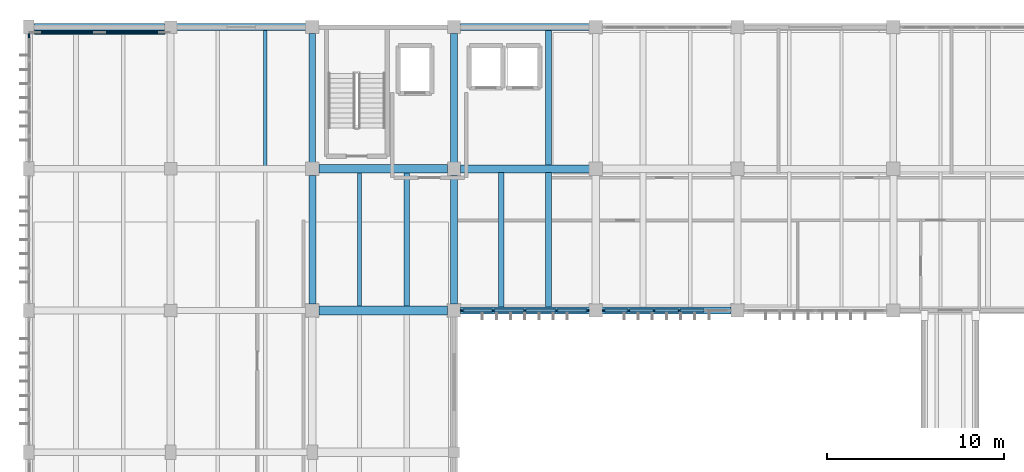
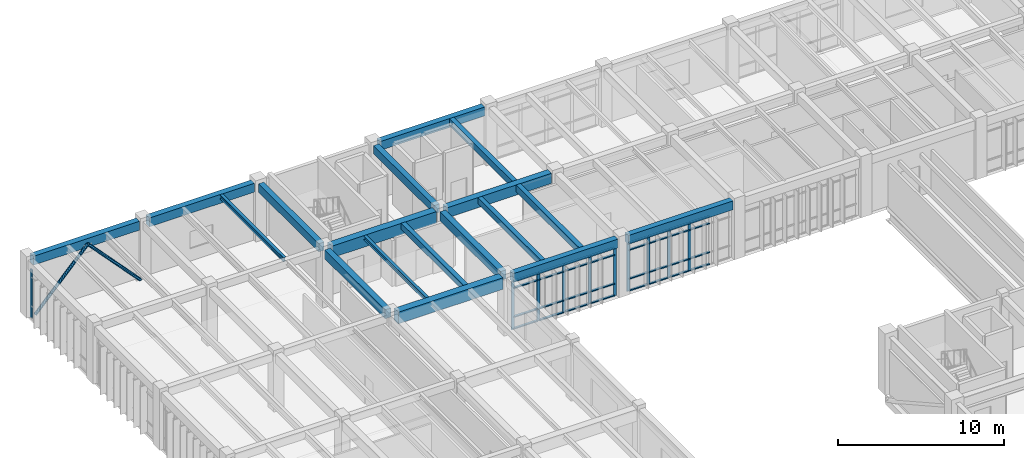
# One storey, part 21 of 79: 44 members, 18 beams, 3 elements without a shape of their own.
"""IFC4 building model written with IfcOpenShell, lengths in metres."""

import ifcopenshell
import ifcopenshell.guid

model = None  # the IFC model being written
_history = None  # IfcOwnerHistory: only IFC2X3 demands one
_inside = {}  # id of a spatial element -> (the spatial element, [elements in it])
_under = {}  # id of a project, library or spatial element -> (it, [spatial elements below it])
_declared = {}  # id of a project -> (the project, [libraries it declares])
_typed = {}  # id of a type object -> (the type object, [elements of that type])
_made_of = {}  # id of a material, layer set ... -> (it, [elements and type objects made of it])


def new_model(schema):
    """Start an empty IFC model of exactly this schema.

    Asked for "IFC4X3", IfcOpenShell would pick the latest addendum, in which some entities
    have other attributes; the version numbers below select the first issue.
    IFC2X3 requires an IfcOwnerHistory on every rooted entity: one is made here for all.
    """
    global model, _history
    if schema == "IFC4X3":
        model = ifcopenshell.file(schema_version=(4, 3, 0, 0))
    else:
        model = ifcopenshell.file(schema=schema)
    _inside.clear()
    _under.clear()
    _declared.clear()
    _typed.clear()
    _made_of.clear()
    _history = None
    if model.schema == "IFC2X3":
        org = make("IfcOrganization", Name="unknown")
        user = make(
            "IfcPersonAndOrganization",
            ThePerson=make("IfcPerson", FamilyName="unknown"),
            TheOrganization=org,
        )
        app = make(
            "IfcApplication",
            ApplicationDeveloper=org,
            Version="unknown",
            ApplicationFullName="unknown",
            ApplicationIdentifier="unknown",
        )
        _history = make(
            "IfcOwnerHistory",
            OwningUser=user,
            OwningApplication=app,
            ChangeAction="ADDED",
            CreationDate=0,
        )
    return model


def make(cls, **values):
    """One entity of the class cls with the attributes given. An attribute that is None is left unset."""
    return model.create_entity(
        cls, **{name: value for name, value in values.items() if value is not None}
    )


def rooted(cls, **values):
    """An entity with a GlobalId (a new one), such as an element, a storey or a relation."""
    return make(cls, GlobalId=ifcopenshell.guid.new(), OwnerHistory=_history, **values)


def si_unit(unit_type, name, prefix=None):
    """IfcSIUnit, for example si_unit("LENGTHUNIT", "METRE", prefix="MILLI")."""
    return make("IfcSIUnit", UnitType=unit_type, Prefix=prefix, Name=name)


def assignment(units):
    """IfcUnitAssignment: the units of a project."""
    return None if units is None else make("IfcUnitAssignment", Units=units)


def point(xyz):
    """IfcCartesianPoint."""
    return None if xyz is None else make("IfcCartesianPoint", Coordinates=xyz)


def direction(xyz):
    """IfcDirection."""
    return None if xyz is None else make("IfcDirection", DirectionRatios=xyz)


def frame(location, z_axis=None, x_axis=None):
    """IfcAxis2Placement3D, a coordinate frame: its origin and axes. An axis left out is left unset."""
    return make(
        "IfcAxis2Placement3D",
        Location=point(location),
        Axis=direction(z_axis),
        RefDirection=direction(x_axis),
    )


def frame_2d(location, x_axis=None):
    """IfcAxis2Placement2D, a coordinate frame in the plane: its origin and x axis."""
    return make(
        "IfcAxis2Placement2D", Location=point(location), RefDirection=direction(x_axis)
    )


def origin():
    """The frame at (0, 0, 0) with its axes left unset."""
    return frame((0.0, 0.0, 0.0))


def origin_2d():
    """The frame at (0, 0) in the plane with its x axis left unset."""
    return frame_2d((0.0, 0.0))


def place(relative_to, where):
    """IfcLocalPlacement: puts the frame where relative to a parent placement (None: the world)."""
    return make(
        "IfcLocalPlacement", PlacementRelTo=relative_to, RelativePlacement=where
    )


def context(
    kind, dimensions, precision=None, world=None, true_north=None, identifier=None
):
    """IfcGeometricRepresentationContext, for example the 3D "Model" context."""
    return make(
        "IfcGeometricRepresentationContext",
        ContextIdentifier=identifier,
        ContextType=kind,
        CoordinateSpaceDimension=dimensions,
        Precision=precision,
        WorldCoordinateSystem=world,
        TrueNorth=true_north,
    )


def subcontext(parent, identifier, kind, view, scale=None):
    """IfcGeometricRepresentationSubContext, for example "Body" below "Model"."""
    return make(
        "IfcGeometricRepresentationSubContext",
        ContextIdentifier=identifier,
        ContextType=kind,
        ParentContext=parent,
        TargetScale=scale,
        TargetView=view,
    )


def project(units=None, contexts=None):
    """IfcProject with its units and contexts."""
    return rooted(
        "IfcProject",
        Name="project",
        RepresentationContexts=contexts,
        UnitsInContext=assignment(units),
    )


def spatial(cls, under=None, at=None, **own):
    """A site, building, storey or space (cls), placed at a placement, below another one or the project."""
    s = rooted(cls, ObjectPlacement=at, **own)
    if under is not None:
        _under.setdefault(under.id(), (under, []))[1].append(s)
    return s


def profile(cls, at=None, kind="AREA", **sizes):
    """A parametric profile (cls). Its sizes go by their IFC names, for example OverallWidth=200.0."""
    return make(cls, ProfileType=kind, Position=at, **sizes)


def rectangle(**sizes):
    """IfcRectangleProfileDef."""
    return profile("IfcRectangleProfileDef", **sizes)


def hollow_circle(**sizes):
    """IfcCircleHollowProfileDef."""
    return profile("IfcCircleHollowProfileDef", **sizes)


def i_section(**sizes):
    """IfcIShapeProfileDef."""
    return profile("IfcIShapeProfileDef", **sizes)


def extrude(swept, where, along, depth):
    """IfcExtrudedAreaSolid: the profile swept, set in the frame where, extruded along a direction by depth."""
    return make(
        "IfcExtrudedAreaSolid",
        SweptArea=swept,
        Position=where,
        ExtrudedDirection=direction(along),
        Depth=depth,
    )


def shape(context_of_items, identifier, shape_type, items):
    """IfcShapeRepresentation: the items that make up one representation, for example the "Body"."""
    return make(
        "IfcShapeRepresentation",
        ContextOfItems=context_of_items,
        RepresentationIdentifier=identifier,
        RepresentationType=shape_type,
        Items=items,
    )


def material(Name=None, Category=None):
    """IfcMaterial."""
    return make("IfcMaterial", Name=Name, Category=Category)


def material_profile(
    of_material, cross_section, Name=None, Category=None, Priority=None
):
    """IfcMaterialProfile: a cross section and its material."""
    return make(
        "IfcMaterialProfile",
        Name=Name,
        Material=of_material,
        Profile=cross_section,
        Priority=Priority,
        Category=Category,
    )


def profile_set(profiles, Name=None, composite=None):
    """IfcMaterialProfileSet."""
    return make(
        "IfcMaterialProfileSet",
        Name=Name,
        MaterialProfiles=profiles,
        CompositeProfile=composite,
    )


def made_of(thing, what):
    """Note that an element or type object is made of a material, layer set ...; save() writes the relation."""
    if what is not None:
        _made_of.setdefault(what.id(), (what, []))[1].append(thing)
    return thing


def type_object(cls, material=None, **own):
    """A type object (cls), such as IfcWallType, which elements share."""
    return made_of(rooted(cls, **own), material)


def element(
    cls,
    number,
    at=None,
    inside=None,
    cuts=None,
    type_object=None,
    material=None,
    context=None,
    identifier="Body",
    shape_type=None,
    held_by="IfcProductDefinitionShape",
    body=None,
    shapes=None,
    **own,
):
    """One element of the class cls, such as IfcWall. Its Tag is "e" and its number.

    at: its placement. inside: the storey or other place that contains it. cuts: it is an
    opening in that element (IfcRelVoidsElement). A single representation is given by context,
    identifier, shape_type and body (its items); several are given by shapes. held_by: the class
    of the entity that holds the representations. save() writes the other relations.
    """
    e = rooted(cls, Tag="e%d" % number, ObjectPlacement=at, **own)
    if body is not None:
        shapes = [shape(context, identifier, shape_type, body)]
    if shapes is not None:
        e.Representation = make(held_by, Representations=shapes)
    if inside is not None:
        _inside.setdefault(inside.id(), (inside, []))[1].append(e)
    if cuts is not None:
        rooted(
            "IfcRelVoidsElement", RelatingBuildingElement=cuts, RelatedOpeningElement=e
        )
    if type_object is not None:
        _typed.setdefault(type_object.id(), (type_object, []))[1].append(e)
    return made_of(e, material)


def aggregate(whole, parts):
    """IfcRelAggregates: a whole, such as a stair, and the parts it consists of."""
    return rooted("IfcRelAggregates", RelatingObject=whole, RelatedObjects=parts)


def save(model, path):
    """Write the relations noted so far, then the file.

    IfcRelAggregates (storeys below a building ...), IfcRelContainedInSpatialStructure (elements
    in a storey), IfcRelDefinesByType, IfcRelAssociatesMaterial and IfcRelDeclares: one each for
    every whole, place, type object, material and project.
    """
    for whole, parts in _under.values():
        aggregate(whole, parts)
    for where, things in _inside.values():
        rooted(
            "IfcRelContainedInSpatialStructure",
            RelatedElements=things,
            RelatingStructure=where,
        )
    for kind, things in _typed.values():
        rooted("IfcRelDefinesByType", RelatedObjects=things, RelatingType=kind)
    for what, things in _made_of.values():
        rooted("IfcRelAssociatesMaterial", RelatedObjects=things, RelatingMaterial=what)
    for by, libraries in _declared.values():
        rooted("IfcRelDeclares", RelatingContext=by, RelatedDefinitions=libraries)
    model.write(path)


model = new_model("IFC4")

# Units and contexts
model_context = context("Model", 3, precision=1e-05, world=origin(), true_north=direction((0.0, 1.0)))
body_context = subcontext(model_context, "Body", "Model", "MODEL_VIEW")
ifc_project = project(units=[si_unit("LENGTHUNIT", "METRE"), si_unit("AREAUNIT", "SQUARE_METRE"), si_unit("VOLUMEUNIT", "CUBIC_METRE"), si_unit("PLANEANGLEUNIT", "RADIAN"), si_unit("MASSUNIT", "GRAM", prefix="KILO")], contexts=[model_context])

# Site, building, storey
site_placement = place(None, origin())
site = spatial("IfcSite", under=ifc_project, at=site_placement, CompositionType="ELEMENT")
building_placement = place(site_placement, origin())
building = spatial("IfcBuilding", under=site, at=building_placement, Name="Tlaxcora Railside Police Headquarters", CompositionType="ELEMENT")
storey_placement = place(building_placement, frame((0.0, 0.0, 9.0)))
storey = spatial("IfcBuildingStorey", under=building, at=storey_placement, Name="L02", CompositionType="ELEMENT", Elevation=9.0)

# Curtain wall, member
ifc_material_1 = material(Name="Thermally broken low-E insulated glazing", Category="glass")
curtain_wall_type_1 = type_object("IfcCurtainWallType", Name="Unitised Curtain Wall Assembly CW-23", PredefinedType="NOTDEFINED", material=ifc_material_1)
curtain_wall_1_placement = place(storey_placement, origin())
curtain_wall_1 = element("IfcCurtainWall", 1, at=curtain_wall_1_placement, inside=storey, type_object=curtain_wall_type_1, Name="V5 L02 curtain wall 64", PredefinedType="NOTDEFINED")
ifc_material_2 = material(Name="Anodised aluminium framing", Category="aluminium")
ifc_material_profile_1 = material_profile(ifc_material_2, rectangle(XDim=0.080078125, YDim=0.219970703125, at=origin_2d()), Name="AL80X220")
ifc_profile_set_1 = profile_set([ifc_material_profile_1], Name="Anodised aluminium framing")
member_type_1 = type_object("IfcMemberType", Name="Curtain Wall Mullion CW-31", PredefinedType="MULLION", material=ifc_profile_set_1)
member_1_placement = place(storey_placement, frame((5.199951171875, 92.31005859375, 0.0), z_axis=(0.0, 0.0, 1.0), x_axis=(1.0, 0.0, 0.0)))
member_1 = element("IfcMember", 2, at=member_1_placement, type_object=member_type_1, Name="CW mullion 1", PredefinedType="MULLION", context=body_context, shape_type="SweptSolid", body=[
    extrude(rectangle(XDim=0.080078125, YDim=0.219970703125, at=origin_2d()), origin(), (0.0, 0.0, 1.0), 3.550048828125),
])
aggregate(curtain_wall_1, [member_1])

# Curtain wall, members
curtain_wall_type_2 = type_object("IfcCurtainWallType", Name="Unitised Curtain Wall Assembly CW-38", PredefinedType="NOTDEFINED", material=ifc_material_1)
curtain_wall_2_placement = place(storey_placement, origin())
curtain_wall_2 = element("IfcCurtainWall", 3, at=curtain_wall_2_placement, inside=storey, type_object=curtain_wall_type_2, Name="V5 L02 curtain wall 53", PredefinedType="NOTDEFINED")
ifc_material_profile_2 = material_profile(ifc_material_2, rectangle(XDim=0.074951171875, YDim=0.205078125, at=origin_2d()), Name="AL75X205")
ifc_profile_set_2 = profile_set([ifc_material_profile_2], Name="Anodised aluminium framing")
member_type_2 = type_object("IfcMemberType", Name="Curtain Wall Mullion CW-32", PredefinedType="MULLION", material=ifc_profile_set_2)
member_2_placement = place(storey_placement, frame((29.66259765625, 76.800048828125, 0.0), z_axis=(0.0, 0.0, 1.0), x_axis=(0.0, 1.0, 0.0)))
member_2 = element("IfcMember", 4, at=member_2_placement, type_object=member_type_2, Name="CW mullion 1", PredefinedType="MULLION", context=body_context, shape_type="SweptSolid", body=[
    extrude(rectangle(XDim=0.074951171875, YDim=0.205078125, at=origin_2d()), origin(), (0.0, 0.0, 1.0), 3.550048828125),
])
member_3_placement = place(storey_placement, frame((31.41259765625, 76.800048828125, 0.0), z_axis=(0.0, 0.0, 1.0), x_axis=(0.0, 1.0, 0.0)))
member_3 = element("IfcMember", 5, at=member_3_placement, type_object=member_type_2, Name="CW mullion 2", PredefinedType="MULLION", context=body_context, shape_type="SweptSolid", body=[
    extrude(rectangle(XDim=0.074951171875, YDim=0.205078125, at=origin_2d()), origin(), (0.0, 0.0, 1.0), 3.550048828125),
])
member_4_placement = place(storey_placement, frame((33.199951171875, 76.800048828125, 0.0), z_axis=(0.0, 0.0, 1.0), x_axis=(0.0, 1.0, 0.0)))
member_4 = element("IfcMember", 6, at=member_4_placement, type_object=member_type_2, Name="CW mullion 3", PredefinedType="MULLION", context=body_context, shape_type="SweptSolid", body=[
    extrude(rectangle(XDim=0.074951171875, YDim=0.205078125, at=origin_2d()), origin(), (0.0, 0.0, 1.0), 3.550048828125),
])
member_5_placement = place(storey_placement, frame((34.987548828125, 76.800048828125, 0.0), z_axis=(0.0, 0.0, 1.0), x_axis=(0.0, 1.0, 0.0)))
member_5 = element("IfcMember", 7, at=member_5_placement, type_object=member_type_2, Name="CW mullion 4", PredefinedType="MULLION", context=body_context, shape_type="SweptSolid", body=[
    extrude(rectangle(XDim=0.074951171875, YDim=0.205078125, at=origin_2d()), origin(), (0.0, 0.0, 1.0), 3.550048828125),
])
member_6_placement = place(storey_placement, frame((36.737548828125, 76.800048828125, 0.0), z_axis=(0.0, 0.0, 1.0), x_axis=(0.0, 1.0, 0.0)))
member_6 = element("IfcMember", 8, at=member_6_placement, type_object=member_type_2, Name="CW mullion 5", PredefinedType="MULLION", context=body_context, shape_type="SweptSolid", body=[
    extrude(rectangle(XDim=0.074951171875, YDim=0.205078125, at=origin_2d()), origin(), (0.0, 0.0, 1.0), 3.550048828125),
])

curtain_wall_type_3 = type_object("IfcCurtainWallType", Name="Unitised Curtain Wall Assembly CW-15", PredefinedType="NOTDEFINED", material=ifc_material_1)
curtain_wall_3_placement = place(storey_placement, origin())
curtain_wall_3 = element("IfcCurtainWall", 9, at=curtain_wall_3_placement, inside=storey, type_object=curtain_wall_type_3, Name="V5 L02 curtain wall 54", PredefinedType="NOTDEFINED")
ifc_material_profile_3 = material_profile(ifc_material_2, rectangle(XDim=0.074951171875, YDim=0.199951171875, at=origin_2d()), Name="AL75X200")
ifc_profile_set_3 = profile_set([ifc_material_profile_3], Name="Anodised aluminium framing")
member_type_3 = type_object("IfcMemberType", Name="Curtain Wall Mullion CW-58", PredefinedType="MULLION", material=ifc_profile_set_3)
member_7_placement = place(storey_placement, frame((37.66259765625, 76.800048828125, 0.0), z_axis=(0.0, 0.0, 1.0), x_axis=(0.0, 1.0, 0.0)))
member_7 = element("IfcMember", 10, at=member_7_placement, type_object=member_type_3, Name="CW mullion 1", PredefinedType="MULLION", context=body_context, shape_type="SweptSolid", body=[
    extrude(rectangle(XDim=0.074951171875, YDim=0.199951171875, at=origin_2d()), origin(), (0.0, 0.0, 1.0), 3.550048828125),
])
member_8_placement = place(storey_placement, frame((39.054931640625, 76.800048828125, 0.0), z_axis=(0.0, 0.0, 1.0), x_axis=(0.0, 1.0, 0.0)))
member_8 = element("IfcMember", 11, at=member_8_placement, type_object=member_type_3, Name="CW mullion 2", PredefinedType="MULLION", context=body_context, shape_type="SweptSolid", body=[
    extrude(rectangle(XDim=0.074951171875, YDim=0.199951171875, at=origin_2d()), origin(), (0.0, 0.0, 1.0), 3.550048828125),
])
member_9_placement = place(storey_placement, frame((40.485107421875, 76.800048828125, 0.0), z_axis=(0.0, 0.0, 1.0), x_axis=(0.0, 1.0, 0.0)))
member_9 = element("IfcMember", 12, at=member_9_placement, type_object=member_type_3, Name="CW mullion 3", PredefinedType="MULLION", context=body_context, shape_type="SweptSolid", body=[
    extrude(rectangle(XDim=0.074951171875, YDim=0.199951171875, at=origin_2d()), origin(), (0.0, 0.0, 1.0), 3.550048828125),
])
member_10_placement = place(storey_placement, frame((41.9150390625, 76.800048828125, 0.0), z_axis=(0.0, 0.0, 1.0), x_axis=(0.0, 1.0, 0.0)))
member_10 = element("IfcMember", 13, at=member_10_placement, type_object=member_type_3, Name="CW mullion 4", PredefinedType="MULLION", context=body_context, shape_type="SweptSolid", body=[
    extrude(rectangle(XDim=0.074951171875, YDim=0.199951171875, at=origin_2d()), origin(), (0.0, 0.0, 1.0), 3.550048828125),
])
ifc_material_profile_4 = material_profile(ifc_material_2, rectangle(XDim=0.14990234375, YDim=0.074951171875, at=origin_2d()), Name="AL75X150")
ifc_profile_set_4 = profile_set([ifc_material_profile_4], Name="Anodised aluminium framing")
member_type_4 = type_object("IfcMemberType", Name="Curtain Wall Transom CW-28", PredefinedType="USERDEFINED", material=ifc_profile_set_4)
member_11_placement = place(storey_placement, frame((37.699951171875, 76.800048828125, 0.03759765625), z_axis=(1.0, 0.0, 0.0), x_axis=(0.0, 1.0, 0.0)))
member_11 = element("IfcMember", 14, at=member_11_placement, type_object=member_type_4, Name="CW transom 1.1", ObjectType="TRANSOM", PredefinedType="USERDEFINED", context=body_context, shape_type="SweptSolid", body=[
    extrude(rectangle(XDim=0.14990234375, YDim=0.074951171875, at=origin_2d()), origin(), (0.0, 0.0, 1.0), 1.317626953125),
])
member_12_placement = place(storey_placement, frame((37.699951171875, 76.800048828125, 0.89990234375), z_axis=(1.0, 0.0, 0.0), x_axis=(0.0, 1.0, 0.0)))
member_12 = element("IfcMember", 15, at=member_12_placement, type_object=member_type_4, Name="CW transom 1.2", ObjectType="TRANSOM", PredefinedType="USERDEFINED", context=body_context, shape_type="SweptSolid", body=[
    extrude(rectangle(XDim=0.14990234375, YDim=0.074951171875, at=origin_2d()), origin(), (0.0, 0.0, 1.0), 1.317626953125),
])
member_13_placement = place(storey_placement, frame((37.699951171875, 76.800048828125, 3.02001953125), z_axis=(1.0, 0.0, 0.0), x_axis=(0.0, 1.0, 0.0)))
member_13 = element("IfcMember", 16, at=member_13_placement, type_object=member_type_4, Name="CW transom 1.3", ObjectType="TRANSOM", PredefinedType="USERDEFINED", context=body_context, shape_type="SweptSolid", body=[
    extrude(rectangle(XDim=0.14990234375, YDim=0.074951171875, at=origin_2d()), origin(), (0.0, 0.0, 1.0), 1.317626953125),
])
member_14_placement = place(storey_placement, frame((37.699951171875, 76.800048828125, 3.512451171875), z_axis=(1.0, 0.0, 0.0), x_axis=(0.0, 1.0, 0.0)))
member_14 = element("IfcMember", 17, at=member_14_placement, type_object=member_type_4, Name="CW transom 1.4", ObjectType="TRANSOM", PredefinedType="USERDEFINED", context=body_context, shape_type="SweptSolid", body=[
    extrude(rectangle(XDim=0.14990234375, YDim=0.074951171875, at=origin_2d()), origin(), (0.0, 0.0, 1.0), 1.317626953125),
])
member_15_placement = place(storey_placement, frame((39.092529296875, 76.800048828125, 0.03759765625), z_axis=(1.0, 0.0, 0.0), x_axis=(0.0, 1.0, 0.0)))
member_15 = element("IfcMember", 18, at=member_15_placement, type_object=member_type_4, Name="CW transom 2.1", ObjectType="TRANSOM", PredefinedType="USERDEFINED", context=body_context, shape_type="SweptSolid", body=[
    extrude(rectangle(XDim=0.14990234375, YDim=0.074951171875, at=origin_2d()), origin(), (0.0, 0.0, 1.0), 1.35498046875),
])
member_16_placement = place(storey_placement, frame((39.092529296875, 76.800048828125, 0.89990234375), z_axis=(1.0, 0.0, 0.0), x_axis=(0.0, 1.0, 0.0)))
member_16 = element("IfcMember", 19, at=member_16_placement, type_object=member_type_4, Name="CW transom 2.2", ObjectType="TRANSOM", PredefinedType="USERDEFINED", context=body_context, shape_type="SweptSolid", body=[
    extrude(rectangle(XDim=0.14990234375, YDim=0.074951171875, at=origin_2d()), origin(), (0.0, 0.0, 1.0), 1.35498046875),
])
member_17_placement = place(storey_placement, frame((39.092529296875, 76.800048828125, 3.02001953125), z_axis=(1.0, 0.0, 0.0), x_axis=(0.0, 1.0, 0.0)))
member_17 = element("IfcMember", 20, at=member_17_placement, type_object=member_type_4, Name="CW transom 2.3", ObjectType="TRANSOM", PredefinedType="USERDEFINED", context=body_context, shape_type="SweptSolid", body=[
    extrude(rectangle(XDim=0.14990234375, YDim=0.074951171875, at=origin_2d()), origin(), (0.0, 0.0, 1.0), 1.35498046875),
])
member_18_placement = place(storey_placement, frame((39.092529296875, 76.800048828125, 3.512451171875), z_axis=(1.0, 0.0, 0.0), x_axis=(0.0, 1.0, 0.0)))
member_18 = element("IfcMember", 21, at=member_18_placement, type_object=member_type_4, Name="CW transom 2.4", ObjectType="TRANSOM", PredefinedType="USERDEFINED", context=body_context, shape_type="SweptSolid", body=[
    extrude(rectangle(XDim=0.14990234375, YDim=0.074951171875, at=origin_2d()), origin(), (0.0, 0.0, 1.0), 1.35498046875),
])
member_19_placement = place(storey_placement, frame((40.5224609375, 76.800048828125, 0.03759765625), z_axis=(1.0, 0.0, 0.0), x_axis=(0.0, 1.0, 0.0)))
member_19 = element("IfcMember", 22, at=member_19_placement, type_object=member_type_4, Name="CW transom 3.1", ObjectType="TRANSOM", PredefinedType="USERDEFINED", context=body_context, shape_type="SweptSolid", body=[
    extrude(rectangle(XDim=0.14990234375, YDim=0.074951171875, at=origin_2d()), origin(), (0.0, 0.0, 1.0), 1.35498046875),
])
member_20_placement = place(storey_placement, frame((40.5224609375, 76.800048828125, 0.89990234375), z_axis=(1.0, 0.0, 0.0), x_axis=(0.0, 1.0, 0.0)))
member_20 = element("IfcMember", 23, at=member_20_placement, type_object=member_type_4, Name="CW transom 3.2", ObjectType="TRANSOM", PredefinedType="USERDEFINED", context=body_context, shape_type="SweptSolid", body=[
    extrude(rectangle(XDim=0.14990234375, YDim=0.074951171875, at=origin_2d()), origin(), (0.0, 0.0, 1.0), 1.35498046875),
])
member_21_placement = place(storey_placement, frame((40.5224609375, 76.800048828125, 3.02001953125), z_axis=(1.0, 0.0, 0.0), x_axis=(0.0, 1.0, 0.0)))
member_21 = element("IfcMember", 24, at=member_21_placement, type_object=member_type_4, Name="CW transom 3.3", ObjectType="TRANSOM", PredefinedType="USERDEFINED", context=body_context, shape_type="SweptSolid", body=[
    extrude(rectangle(XDim=0.14990234375, YDim=0.074951171875, at=origin_2d()), origin(), (0.0, 0.0, 1.0), 1.35498046875),
])
member_22_placement = place(storey_placement, frame((40.5224609375, 76.800048828125, 3.512451171875), z_axis=(1.0, 0.0, 0.0), x_axis=(0.0, 1.0, 0.0)))
member_22 = element("IfcMember", 25, at=member_22_placement, type_object=member_type_4, Name="CW transom 3.4", ObjectType="TRANSOM", PredefinedType="USERDEFINED", context=body_context, shape_type="SweptSolid", body=[
    extrude(rectangle(XDim=0.14990234375, YDim=0.074951171875, at=origin_2d()), origin(), (0.0, 0.0, 1.0), 1.35498046875),
])
member_23_placement = place(storey_placement, frame((41.952392578125, 76.800048828125, 0.03759765625), z_axis=(1.0, 0.0, 0.0), x_axis=(0.0, 1.0, 0.0)))
member_23 = element("IfcMember", 26, at=member_23_placement, type_object=member_type_4, Name="CW transom 4.1", ObjectType="TRANSOM", PredefinedType="USERDEFINED", context=body_context, shape_type="SweptSolid", body=[
    extrude(rectangle(XDim=0.14990234375, YDim=0.074951171875, at=origin_2d()), origin(), (0.0, 0.0, 1.0), 1.355224609375),
])
member_24_placement = place(storey_placement, frame((41.952392578125, 76.800048828125, 0.89990234375), z_axis=(1.0, 0.0, 0.0), x_axis=(0.0, 1.0, 0.0)))
member_24 = element("IfcMember", 27, at=member_24_placement, type_object=member_type_4, Name="CW transom 4.2", ObjectType="TRANSOM", PredefinedType="USERDEFINED", context=body_context, shape_type="SweptSolid", body=[
    extrude(rectangle(XDim=0.14990234375, YDim=0.074951171875, at=origin_2d()), origin(), (0.0, 0.0, 1.0), 1.355224609375),
])
member_25_placement = place(storey_placement, frame((41.952392578125, 76.800048828125, 3.02001953125), z_axis=(1.0, 0.0, 0.0), x_axis=(0.0, 1.0, 0.0)))
member_25 = element("IfcMember", 28, at=member_25_placement, type_object=member_type_4, Name="CW transom 4.3", ObjectType="TRANSOM", PredefinedType="USERDEFINED", context=body_context, shape_type="SweptSolid", body=[
    extrude(rectangle(XDim=0.14990234375, YDim=0.074951171875, at=origin_2d()), origin(), (0.0, 0.0, 1.0), 1.355224609375),
])
member_26_placement = place(storey_placement, frame((41.952392578125, 76.800048828125, 3.512451171875), z_axis=(1.0, 0.0, 0.0), x_axis=(0.0, 1.0, 0.0)))
member_26 = element("IfcMember", 29, at=member_26_placement, type_object=member_type_4, Name="CW transom 4.4", ObjectType="TRANSOM", PredefinedType="USERDEFINED", context=body_context, shape_type="SweptSolid", body=[
    extrude(rectangle(XDim=0.14990234375, YDim=0.074951171875, at=origin_2d()), origin(), (0.0, 0.0, 1.0), 1.355224609375),
])
aggregate(curtain_wall_3, [member_7, member_8, member_9, member_10, member_11, member_12, member_13, member_14, member_15, member_16, member_17, member_18, member_19, member_20, member_21, member_22, member_23, member_24, member_25, member_26])

# Member
ifc_material_profile_5 = material_profile(ifc_material_2, rectangle(XDim=0.155029296875, YDim=0.074951171875, at=origin_2d()), Name="AL75X155")
ifc_profile_set_5 = profile_set([ifc_material_profile_5], Name="Anodised aluminium framing")
member_type_5 = type_object("IfcMemberType", Name="Curtain Wall Transom CW-30", PredefinedType="USERDEFINED", material=ifc_profile_set_5)
member_27_placement = place(storey_placement, frame((29.699951171875, 76.800048828125, 0.03759765625), z_axis=(1.0, 0.0, 0.0), x_axis=(0.0, 1.0, 0.0)))
member_27 = element("IfcMember", 30, at=member_27_placement, type_object=member_type_5, Name="CW transom 1.1", ObjectType="TRANSOM", PredefinedType="USERDEFINED", context=body_context, shape_type="SweptSolid", body=[
    extrude(rectangle(XDim=0.155029296875, YDim=0.074951171875, at=origin_2d()), origin(), (0.0, 0.0, 1.0), 1.675048828125),
])

member_28_placement = place(storey_placement, frame((29.699951171875, 76.800048828125, 0.89990234375), z_axis=(1.0, 0.0, 0.0), x_axis=(0.0, 1.0, 0.0)))
member_28 = element("IfcMember", 31, at=member_28_placement, type_object=member_type_5, Name="CW transom 1.2", ObjectType="TRANSOM", PredefinedType="USERDEFINED", context=body_context, shape_type="SweptSolid", body=[
    extrude(rectangle(XDim=0.155029296875, YDim=0.074951171875, at=origin_2d()), origin(), (0.0, 0.0, 1.0), 1.675048828125),
])

member_29_placement = place(storey_placement, frame((29.699951171875, 76.800048828125, 3.02001953125), z_axis=(1.0, 0.0, 0.0), x_axis=(0.0, 1.0, 0.0)))
member_29 = element("IfcMember", 32, at=member_29_placement, type_object=member_type_5, Name="CW transom 1.3", ObjectType="TRANSOM", PredefinedType="USERDEFINED", context=body_context, shape_type="SweptSolid", body=[
    extrude(rectangle(XDim=0.155029296875, YDim=0.074951171875, at=origin_2d()), origin(), (0.0, 0.0, 1.0), 1.675048828125),
])

member_30_placement = place(storey_placement, frame((29.699951171875, 76.800048828125, 3.512451171875), z_axis=(1.0, 0.0, 0.0), x_axis=(0.0, 1.0, 0.0)))
member_30 = element("IfcMember", 33, at=member_30_placement, type_object=member_type_5, Name="CW transom 1.4", ObjectType="TRANSOM", PredefinedType="USERDEFINED", context=body_context, shape_type="SweptSolid", body=[
    extrude(rectangle(XDim=0.155029296875, YDim=0.074951171875, at=origin_2d()), origin(), (0.0, 0.0, 1.0), 1.675048828125),
])

member_31_placement = place(storey_placement, frame((31.449951171875, 76.800048828125, 0.03759765625), z_axis=(1.0, 0.0, 0.0), x_axis=(0.0, 1.0, 0.0)))
member_31 = element("IfcMember", 34, at=member_31_placement, type_object=member_type_5, Name="CW transom 2.1", ObjectType="TRANSOM", PredefinedType="USERDEFINED", context=body_context, shape_type="SweptSolid", body=[
    extrude(rectangle(XDim=0.155029296875, YDim=0.074951171875, at=origin_2d()), origin(), (0.0, 0.0, 1.0), 1.712646484375),
])

member_32_placement = place(storey_placement, frame((31.449951171875, 76.800048828125, 0.89990234375), z_axis=(1.0, 0.0, 0.0), x_axis=(0.0, 1.0, 0.0)))
member_32 = element("IfcMember", 35, at=member_32_placement, type_object=member_type_5, Name="CW transom 2.2", ObjectType="TRANSOM", PredefinedType="USERDEFINED", context=body_context, shape_type="SweptSolid", body=[
    extrude(rectangle(XDim=0.155029296875, YDim=0.074951171875, at=origin_2d()), origin(), (0.0, 0.0, 1.0), 1.712646484375),
])

member_33_placement = place(storey_placement, frame((31.449951171875, 76.800048828125, 3.02001953125), z_axis=(1.0, 0.0, 0.0), x_axis=(0.0, 1.0, 0.0)))
member_33 = element("IfcMember", 36, at=member_33_placement, type_object=member_type_5, Name="CW transom 2.3", ObjectType="TRANSOM", PredefinedType="USERDEFINED", context=body_context, shape_type="SweptSolid", body=[
    extrude(rectangle(XDim=0.155029296875, YDim=0.074951171875, at=origin_2d()), origin(), (0.0, 0.0, 1.0), 1.712646484375),
])

member_34_placement = place(storey_placement, frame((31.449951171875, 76.800048828125, 3.512451171875), z_axis=(1.0, 0.0, 0.0), x_axis=(0.0, 1.0, 0.0)))
member_34 = element("IfcMember", 37, at=member_34_placement, type_object=member_type_5, Name="CW transom 2.4", ObjectType="TRANSOM", PredefinedType="USERDEFINED", context=body_context, shape_type="SweptSolid", body=[
    extrude(rectangle(XDim=0.155029296875, YDim=0.074951171875, at=origin_2d()), origin(), (0.0, 0.0, 1.0), 1.712646484375),
])

member_35_placement = place(storey_placement, frame((33.237548828125, 76.800048828125, 0.03759765625), z_axis=(1.0, 0.0, 0.0), x_axis=(0.0, 1.0, 0.0)))
member_35 = element("IfcMember", 38, at=member_35_placement, type_object=member_type_5, Name="CW transom 3.1", ObjectType="TRANSOM", PredefinedType="USERDEFINED", context=body_context, shape_type="SweptSolid", body=[
    extrude(rectangle(XDim=0.155029296875, YDim=0.074951171875, at=origin_2d()), origin(), (0.0, 0.0, 1.0), 1.71240234375),
])

member_36_placement = place(storey_placement, frame((33.237548828125, 76.800048828125, 0.89990234375), z_axis=(1.0, 0.0, 0.0), x_axis=(0.0, 1.0, 0.0)))
member_36 = element("IfcMember", 39, at=member_36_placement, type_object=member_type_5, Name="CW transom 3.2", ObjectType="TRANSOM", PredefinedType="USERDEFINED", context=body_context, shape_type="SweptSolid", body=[
    extrude(rectangle(XDim=0.155029296875, YDim=0.074951171875, at=origin_2d()), origin(), (0.0, 0.0, 1.0), 1.71240234375),
])

member_37_placement = place(storey_placement, frame((33.237548828125, 76.800048828125, 3.02001953125), z_axis=(1.0, 0.0, 0.0), x_axis=(0.0, 1.0, 0.0)))
member_37 = element("IfcMember", 40, at=member_37_placement, type_object=member_type_5, Name="CW transom 3.3", ObjectType="TRANSOM", PredefinedType="USERDEFINED", context=body_context, shape_type="SweptSolid", body=[
    extrude(rectangle(XDim=0.155029296875, YDim=0.074951171875, at=origin_2d()), origin(), (0.0, 0.0, 1.0), 1.71240234375),
])

member_38_placement = place(storey_placement, frame((33.237548828125, 76.800048828125, 3.512451171875), z_axis=(1.0, 0.0, 0.0), x_axis=(0.0, 1.0, 0.0)))
member_38 = element("IfcMember", 41, at=member_38_placement, type_object=member_type_5, Name="CW transom 3.4", ObjectType="TRANSOM", PredefinedType="USERDEFINED", context=body_context, shape_type="SweptSolid", body=[
    extrude(rectangle(XDim=0.155029296875, YDim=0.074951171875, at=origin_2d()), origin(), (0.0, 0.0, 1.0), 1.71240234375),
])

member_39_placement = place(storey_placement, frame((35.02490234375, 76.800048828125, 0.03759765625), z_axis=(1.0, 0.0, 0.0), x_axis=(0.0, 1.0, 0.0)))
member_39 = element("IfcMember", 42, at=member_39_placement, type_object=member_type_5, Name="CW transom 4.1", ObjectType="TRANSOM", PredefinedType="USERDEFINED", context=body_context, shape_type="SweptSolid", body=[
    extrude(rectangle(XDim=0.155029296875, YDim=0.074951171875, at=origin_2d()), origin(), (0.0, 0.0, 1.0), 1.675048828125),
])

member_40_placement = place(storey_placement, frame((35.02490234375, 76.800048828125, 0.89990234375), z_axis=(1.0, 0.0, 0.0), x_axis=(0.0, 1.0, 0.0)))
member_40 = element("IfcMember", 43, at=member_40_placement, type_object=member_type_5, Name="CW transom 4.2", ObjectType="TRANSOM", PredefinedType="USERDEFINED", context=body_context, shape_type="SweptSolid", body=[
    extrude(rectangle(XDim=0.155029296875, YDim=0.074951171875, at=origin_2d()), origin(), (0.0, 0.0, 1.0), 1.675048828125),
])

member_41_placement = place(storey_placement, frame((35.02490234375, 76.800048828125, 3.02001953125), z_axis=(1.0, 0.0, 0.0), x_axis=(0.0, 1.0, 0.0)))
member_41 = element("IfcMember", 44, at=member_41_placement, type_object=member_type_5, Name="CW transom 4.3", ObjectType="TRANSOM", PredefinedType="USERDEFINED", context=body_context, shape_type="SweptSolid", body=[
    extrude(rectangle(XDim=0.155029296875, YDim=0.074951171875, at=origin_2d()), origin(), (0.0, 0.0, 1.0), 1.675048828125),
])

member_42_placement = place(storey_placement, frame((35.02490234375, 76.800048828125, 3.512451171875), z_axis=(1.0, 0.0, 0.0), x_axis=(0.0, 1.0, 0.0)))
member_42 = element("IfcMember", 45, at=member_42_placement, type_object=member_type_5, Name="CW transom 4.4", ObjectType="TRANSOM", PredefinedType="USERDEFINED", context=body_context, shape_type="SweptSolid", body=[
    extrude(rectangle(XDim=0.155029296875, YDim=0.074951171875, at=origin_2d()), origin(), (0.0, 0.0, 1.0), 1.675048828125),
])

aggregate(curtain_wall_2, [member_2, member_3, member_4, member_5, member_6, member_27, member_28, member_29, member_30, member_31, member_32, member_33, member_34, member_35, member_36, member_37, member_38, member_39, member_40, member_41, member_42])

# Members
ifc_material_3 = material(Name="Steel ASTM A992 Grade 50", Category="steel")
ifc_material_profile_6 = material_profile(ifc_material_3, hollow_circle(Radius=0.109619140625, WallThickness=0.010009765625, at=origin_2d()), Name="CHS219X10")
ifc_profile_set_6 = profile_set([ifc_material_profile_6], Name="Steel ASTM A992 Grade 50")
member_type_6 = type_object("IfcMemberType", Name="Diagonal Brace Member MB-18", PredefinedType="BRACE", material=ifc_profile_set_6)
for number, where, z_axis, x_axis, name in (
    (46, (5.550048828125, 92.5, 0.0), (0.683317517493, 0.0, 0.730121339427), (0.0, 1.0, 0.0), "Chevron brace 2A"),
    (47, (12.85009765625, 92.5, 0.0), (-0.683341881634, 0.0, 0.730098536367), (0.0, -1.0, 0.0), "Chevron brace 2B"),
):
    element("IfcMember", number, at=place(storey_placement, frame(where, z_axis=z_axis, x_axis=x_axis)), inside=storey, type_object=member_type_6, Name=name, PredefinedType="BRACE", context=body_context, shape_type="SweptSolid", body=[
        extrude(hollow_circle(Radius=0.109619140625, WallThickness=0.010009765625, at=origin_2d()), origin(), (0.0, 0.0, 1.0), 5.341552734375),
    ])

# Beams
ifc_material_4 = material(Name="Concrete C40/50", Category="concrete")
ifc_material_profile_7 = material_profile(ifc_material_4, rectangle(XDim=0.39990234375, YDim=0.64990234375, at=origin_2d()), Name="RC400X650")
ifc_profile_set_7 = profile_set([ifc_material_profile_7], Name="Concrete C40/50")
beam_type_1 = type_object("IfcBeamType", Name="Perimeter Spandrel Beam BM-46", PredefinedType="SPANDREL", material=ifc_profile_set_7)
for number, where, z_axis, x_axis, name in (
    (48, (29.56494140625, 76.800048828125, 3.89501953125), (1.0, 0.0, 0.0), (0.0, 1.0, 0.0), "V5 L02 X-girder Y=76.8"),
    (49, (37.56494140625, 76.800048828125, 3.89501953125), (1.0, 0.0, 0.0), (0.0, 1.0, 0.0), "V5 L02 X-girder Y=76.8"),
):
    element("IfcBeam", number, at=place(storey_placement, frame(where, z_axis=z_axis, x_axis=x_axis)), inside=storey, type_object=beam_type_1, Name=name, PredefinedType="SPANDREL", context=body_context, shape_type="SweptSolid", body=[
        extrude(rectangle(XDim=0.39990234375, YDim=0.64990234375, at=origin_2d()), origin(), (0.0, 0.0, 1.0), 7.27001953125),
    ])
beam_1_placement = place(storey_placement, frame((5.489990234375, 92.800048828125, 3.89501953125), z_axis=(1.0, 0.0, 0.0), x_axis=(0.0, 1.0, 0.0)))
element("IfcBeam", 50, at=beam_1_placement, inside=storey, type_object=beam_type_1, Name="V5 L02 X-girder Y=92.8", PredefinedType="SPANDREL", context=body_context, shape_type="SweptSolid", body=[
    extrude(rectangle(XDim=0.39990234375, YDim=0.64990234375, at=origin_2d()), origin(), (0.0, 0.0, 1.0), 7.3701171875),
])
beam_2_placement = place(storey_placement, frame((13.5400390625, 92.800048828125, 3.89501953125), z_axis=(1.0, 0.0, 0.0), x_axis=(0.0, 1.0, 0.0)))
element("IfcBeam", 51, at=beam_2_placement, inside=storey, type_object=beam_type_1, Name="V5 L02 X-girder Y=92.8", PredefinedType="SPANDREL", context=body_context, shape_type="SweptSolid", body=[
    extrude(rectangle(XDim=0.39990234375, YDim=0.64990234375, at=origin_2d()), origin(), (0.0, 0.0, 1.0), 7.294921875),
])
beam_3_placement = place(storey_placement, frame((29.56494140625, 92.800048828125, 3.89501953125), z_axis=(1.0, 0.0, 0.0), x_axis=(0.0, 1.0, 0.0)))
element("IfcBeam", 52, at=beam_3_placement, inside=storey, type_object=beam_type_1, Name="V5 L02 X-girder Y=92.8", PredefinedType="SPANDREL", context=body_context, shape_type="SweptSolid", body=[
    extrude(rectangle(XDim=0.39990234375, YDim=0.64990234375, at=origin_2d()), origin(), (0.0, 0.0, 1.0), 7.27001953125),
])
ifc_material_profile_8 = material_profile(ifc_material_4, rectangle(XDim=0.3798828125, YDim=0.60009765625, at=origin_2d()), Name="RC380X600")
ifc_profile_set_8 = profile_set([ifc_material_profile_8], Name="Concrete C40/50")
beam_type_2 = type_object("IfcBeamType", Name="Primary Frame Girder BM-22", PredefinedType="BEAM", material=ifc_profile_set_8)
for number, where, z_axis, x_axis, name in (
    (53, (21.199951171875, 85.1650390625, 3.919921875), (0.0, 1.0, 0.0), (-1.0, 0.0, 0.0), "V5 L02 Y-girder X=21.2"),
    (54, (29.199951171875, 85.1650390625, 3.919921875), (0.0, 1.0, 0.0), (-1.0, 0.0, 0.0), "V5 L02 Y-girder X=29.2"),
):
    element("IfcBeam", number, at=place(storey_placement, frame(where, z_axis=z_axis, x_axis=x_axis)), inside=storey, type_object=beam_type_2, Name=name, PredefinedType="BEAM", context=body_context, shape_type="SweptSolid", body=[
        extrude(rectangle(XDim=0.3798828125, YDim=0.60009765625, at=origin_2d()), origin(), (0.0, 0.0, 1.0), 7.27001953125),
    ])
ifc_material_profile_9 = material_profile(ifc_material_4, rectangle(XDim=0.39990234375, YDim=0.64990234375, at=origin_2d()), Name="RC400X650")
ifc_profile_set_9 = profile_set([ifc_material_profile_9], Name="Concrete C40/50")
beam_type_3 = type_object("IfcBeamType", Name="Primary Frame Girder BM-41", PredefinedType="BEAM", material=ifc_profile_set_9)
for number, where, z_axis, x_axis, name in (
    (55, (21.199951171875, 77.1650390625, 3.89501953125), (0.0, 1.0, 0.0), (-1.0, 0.0, 0.0), "V5 L02 Y-girder X=21.2"),
    (56, (29.199951171875, 77.1650390625, 3.89501953125), (0.0, 1.0, 0.0), (-1.0, 0.0, 0.0), "V5 L02 Y-girder X=29.2"),
):
    element("IfcBeam", number, at=place(storey_placement, frame(where, z_axis=z_axis, x_axis=x_axis)), inside=storey, type_object=beam_type_3, Name=name, PredefinedType="BEAM", context=body_context, shape_type="SweptSolid", body=[
        extrude(rectangle(XDim=0.39990234375, YDim=0.64990234375, at=origin_2d()), origin(), (0.0, 0.0, 1.0), 7.27001953125),
    ])
ifc_material_profile_10 = material_profile(ifc_material_4, rectangle(XDim=0.5, YDim=0.85009765625, at=origin_2d()), Name="RC500X850")
ifc_profile_set_10 = profile_set([ifc_material_profile_10], Name="Concrete C40/50")
beam_type_4 = type_object("IfcBeamType", Name="Primary Frame Girder BM-64", PredefinedType="BEAM", material=ifc_profile_set_10)
for number, where, z_axis, x_axis, name in (
    (57, (21.56494140625, 76.800048828125, 3.794921875), (1.0, 0.0, 0.0), (0.0, 1.0, 0.0), "V5 L02 X-girder Y=76.8"),
    (58, (21.56494140625, 84.800048828125, 3.794921875), (1.0, 0.0, 0.0), (0.0, 1.0, 0.0), "V5 L02 X-girder Y=84.8"),
):
    element("IfcBeam", number, at=place(storey_placement, frame(where, z_axis=z_axis, x_axis=x_axis)), inside=storey, type_object=beam_type_4, Name=name, PredefinedType="BEAM", context=body_context, shape_type="SweptSolid", body=[
        extrude(rectangle(XDim=0.5, YDim=0.85009765625, at=origin_2d()), origin(), (0.0, 0.0, 1.0), 7.27001953125),
    ])
ifc_material_profile_11 = material_profile(ifc_material_4, rectangle(XDim=0.449951171875, YDim=0.75, at=origin_2d()), Name="RC450X750")
ifc_profile_set_11 = profile_set([ifc_material_profile_11], Name="Concrete C40/50")
beam_type_5 = type_object("IfcBeamType", Name="Primary Frame Girder BM-73", PredefinedType="BEAM", material=ifc_profile_set_11)
beam_4_placement = place(storey_placement, frame((29.56494140625, 84.800048828125, 3.844970703125), z_axis=(1.0, 0.0, 0.0), x_axis=(0.0, 1.0, 0.0)))
element("IfcBeam", 59, at=beam_4_placement, inside=storey, type_object=beam_type_5, Name="V5 L02 X-girder Y=84.8", PredefinedType="BEAM", context=body_context, shape_type="SweptSolid", body=[
    extrude(rectangle(XDim=0.449951171875, YDim=0.75, at=origin_2d()), origin(), (0.0, 0.0, 1.0), 7.27001953125),
])
ifc_material_5 = material(Name="Concrete C35/45", Category="concrete")
ifc_material_profile_12 = material_profile(ifc_material_5, rectangle(XDim=0.300048828125, YDim=0.449951171875, at=origin_2d()), Name="RC300X450")
ifc_profile_set_12 = profile_set([ifc_material_profile_12], Name="Concrete C35/45")
beam_type_6 = type_object("IfcBeamType", Name="Secondary Floor Joist BM-27", PredefinedType="JOIST", material=ifc_profile_set_12)
beam_5_placement = place(storey_placement, frame((26.533203125, 77.0419921875, 3.9951171875), z_axis=(0.0, 1.0, 0.0), x_axis=(-1.0, 0.0, 0.0)))
element("IfcBeam", 60, at=beam_5_placement, inside=storey, type_object=beam_type_6, Name="V5 L02 floor joist X=26.53", PredefinedType="JOIST", context=body_context, shape_type="SweptSolid", body=[
    extrude(rectangle(XDim=0.300048828125, YDim=0.449951171875, at=origin_2d()), origin(), (0.0, 0.0, 1.0), 7.51611328125),
])
beam_6_placement = place(storey_placement, frame((31.86669921875, 76.991943359375, 3.9951171875), z_axis=(0.0, 1.0, 0.0), x_axis=(-1.0, 0.0, 0.0)))
element("IfcBeam", 61, at=beam_6_placement, inside=storey, type_object=beam_type_6, Name="V5 L02 floor joist X=31.87", PredefinedType="JOIST", context=body_context, shape_type="SweptSolid", body=[
    extrude(rectangle(XDim=0.300048828125, YDim=0.449951171875, at=origin_2d()), origin(), (0.0, 0.0, 1.0), 7.591064453125),
])
ifc_material_profile_13 = material_profile(ifc_material_5, rectangle(XDim=0.320068359375, YDim=0.5, at=origin_2d()), Name="RC320X500")
ifc_profile_set_13 = profile_set([ifc_material_profile_13], Name="Concrete C35/45")
beam_type_7 = type_object("IfcBeamType", Name="Secondary Floor Joist BM-88", PredefinedType="JOIST", material=ifc_profile_set_13)
beam_7_placement = place(storey_placement, frame((34.533203125, 76.991943359375, 3.969970703125), z_axis=(0.0, 1.0, 0.0), x_axis=(-1.0, 0.0, 0.0)))
element("IfcBeam", 62, at=beam_7_placement, inside=storey, type_object=beam_type_7, Name="V5 L02 floor joist X=34.53", PredefinedType="JOIST", context=body_context, shape_type="SweptSolid", body=[
    extrude(rectangle(XDim=0.320068359375, YDim=0.5, at=origin_2d()), origin(), (0.0, 0.0, 1.0), 7.591064453125),
])
beam_8_placement = place(storey_placement, frame((34.533203125, 85.01708984375, 3.969970703125), z_axis=(0.0, 1.0, 0.0), x_axis=(-1.0, 0.0, 0.0)))
element("IfcBeam", 63, at=beam_8_placement, inside=storey, type_object=beam_type_7, Name="V5 L02 floor joist X=34.53", PredefinedType="JOIST", context=body_context, shape_type="SweptSolid", body=[
    extrude(rectangle(XDim=0.320068359375, YDim=0.5, at=origin_2d()), origin(), (0.0, 0.0, 1.0), 7.5908203125),
])
ifc_material_profile_14 = material_profile(ifc_material_3, i_section(OverallWidth=0.202880859375, OverallDepth=0.302978515625, WebThickness=0.007568359375, FlangeThickness=0.01318359375, at=origin_2d()), Name="W12X40")
ifc_profile_set_14 = profile_set([ifc_material_profile_14], Name="Steel ASTM A992 Grade 50")
beam_type_8 = type_object("IfcBeamType", Name="Secondary Floor Joist BM-96", PredefinedType="JOIST", material=ifc_profile_set_14)
beam_9_placement = place(storey_placement, frame((23.86669921875, 77.0419921875, 4.068603515625), z_axis=(0.0, 1.0, 0.0), x_axis=(-1.0, 0.0, 0.0)))
element("IfcBeam", 64, at=beam_9_placement, inside=storey, type_object=beam_type_8, Name="V5 L02 floor joist X=23.87", PredefinedType="JOIST", context=body_context, shape_type="SweptSolid", body=[
    extrude(i_section(OverallWidth=0.202880859375, OverallDepth=0.302978515625, WebThickness=0.007568359375, FlangeThickness=0.01318359375, at=origin_2d()), origin(), (0.0, 0.0, 1.0), 7.51611328125),
])
beam_10_placement = place(storey_placement, frame((18.533203125, 84.967041015625, 4.068603515625), z_axis=(0.0, 1.0, 0.0), x_axis=(-1.0, 0.0, 0.0)))
element("IfcBeam", 65, at=beam_10_placement, inside=storey, type_object=beam_type_8, Name="V5 L02 floor joist X=18.53", PredefinedType="JOIST", context=body_context, shape_type="SweptSolid", body=[
    extrude(i_section(OverallWidth=0.202880859375, OverallDepth=0.302978515625, WebThickness=0.007568359375, FlangeThickness=0.01318359375, at=origin_2d()), origin(), (0.0, 0.0, 1.0), 7.640869140625),
])

save(model, "model.ifc")
